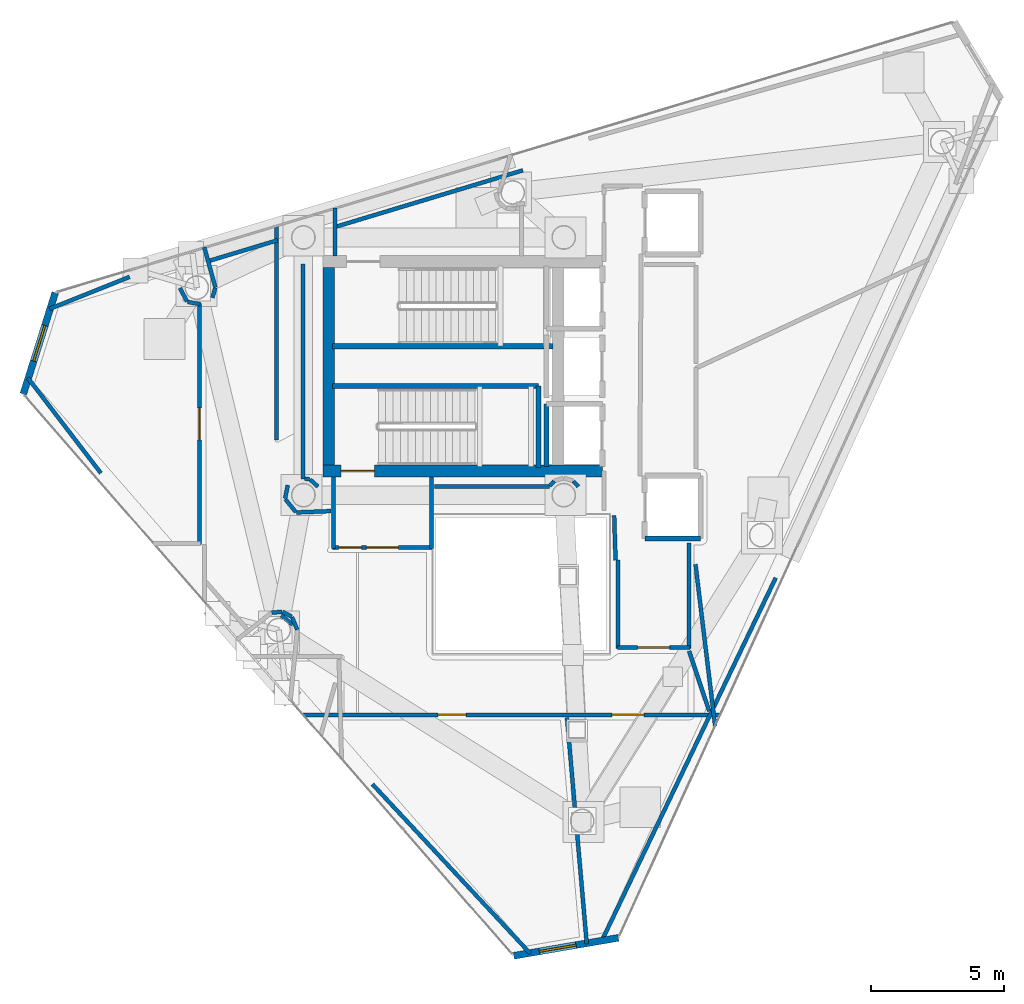
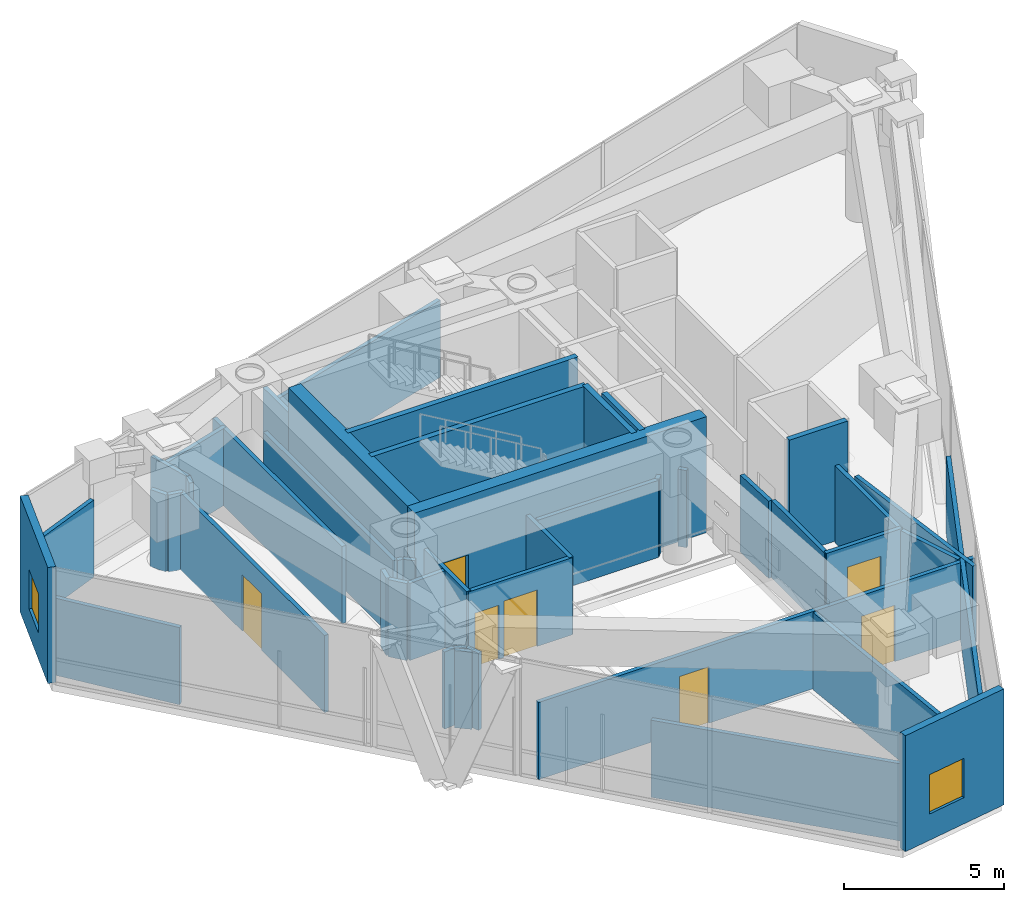
# One storey, part 16 of 20: 46 walls, 7 doors, 2 windows, 9 openings.
"""IFC4 building model written with IfcOpenShell, lengths in metres."""

from ifc_helpers import new_model, si_unit, direction, frame, frame_2d, origin, place, context, subcontext, project, spatial, rectangle, extrude, material, layer, layer_set, type_object, element, fill, save


model = new_model("IFC4")

# Units and contexts
model_context = context("Model", 3, precision=1e-05, world=origin(), true_north=direction((0.0, 1.0)))
body_context = subcontext(model_context, "Body", "Model", "MODEL_VIEW")
ifc_project = project(units=[si_unit("LENGTHUNIT", "METRE"), si_unit("AREAUNIT", "SQUARE_METRE"), si_unit("VOLUMEUNIT", "CUBIC_METRE"), si_unit("PLANEANGLEUNIT", "RADIAN"), si_unit("MASSUNIT", "GRAM", prefix="KILO")], contexts=[model_context])

# Site, building, storey
site_placement = place(None, origin())
site = spatial("IfcSite", under=ifc_project, at=site_placement, CompositionType="ELEMENT")
building_placement = place(site_placement, origin())
building = spatial("IfcBuilding", under=site, at=building_placement, Name="Qianvela Tower", CompositionType="ELEMENT")
storey_placement = place(building_placement, frame((0.0, 0.0, 321.300048828125)))
storey = spatial("IfcBuildingStorey", under=building, at=storey_placement, Name="L83", CompositionType="ELEMENT", Elevation=321.300048828125)

# Wall, opening, window
ifc_material_1 = material(Name="Terracotta Cladding on Concrete C40", Category="masonry")
ifc_layer_1 = layer(ifc_material_1, 0.260009765625)
ifc_layer_set_1 = layer_set([ifc_layer_1], Name="Terracotta Cladding on Concrete C40")
wall_type_1 = type_object("IfcWallType", Name="TERRACOTTA-WALL-260", PredefinedType="SOLIDWALL", material=ifc_layer_set_1)
wall_1_placement = place(storey_placement, frame((19.258544921875, 31.47265625, 0.0), z_axis=(0.0, 0.0, 1.0), x_axis=(-0.300558508895, -0.953763378795, 0.0)))
wall_1 = element("IfcWall", 1, at=wall_1_placement, inside=storey, type_object=wall_type_1, Name="L83 Terracotta Chamfer Facet Wall 3", PredefinedType="SOLIDWALL", context=body_context, shape_type="SweptSolid", body=[
    extrude(rectangle(XDim=3.998046875, YDim=0.260009765625, at=frame_2d((1.9990234375, 0.0))), origin(), (0.0, 0.0, 1.0), 4.419921875),
])
opening_1_placement = place(wall_1_placement, frame((1.299072265625, 0.0, 1.0)))
opening_1 = element("IfcOpeningElement", 2, at=opening_1_placement, cuts=wall_1, Name="Opening W-06", PredefinedType="OPENING", context=body_context, shape_type="SweptSolid", body=[
    extrude(rectangle(XDim=1.39990234375, YDim=1.5, at=frame_2d((0.699951171875, 0.75))), frame((0.0, 0.139892578125, 0.0), z_axis=(0.0, -1.0, 0.0), x_axis=(1.0, 0.0, 0.0)), (0.0, 0.0, 1.0), 0.280029296875),
])
ifc_material_2 = material(Name="Thermally Broken Aluminium and Low-E Glass", Category="aluminium")
window_type = type_object("IfcWindowType", Name="WIN-REF-1400x1500", PartitioningType="SINGLE_PANEL", PredefinedType="WINDOW", material=ifc_material_2)
window_1_placement = place(opening_1_placement, origin())
window_1 = element("IfcWindow", 3, at=window_1_placement, inside=storey, type_object=window_type, Name="L83 Chamfer Facet Window 3.1", OverallHeight=1.5, OverallWidth=1.39990234375, PartitioningType="SINGLE_PANEL", PredefinedType="WINDOW", context=body_context, shape_type="SweptSolid", body=[
    extrude(rectangle(XDim=1.39990234375, YDim=1.5, at=frame_2d((0.699951171875, 0.75))), frame((0.0, 0.030029296875, 0.0), z_axis=(0.0, -1.0, 0.0), x_axis=(1.0, 0.0, 0.0)), (0.0, 0.0, 1.0), 0.06005859375),
])
fill(opening_1, window_1)

wall_2_placement = place(storey_placement, frame((36.51904296875, 6.5107421875, 0.0), z_axis=(0.0, 0.0, 1.0), x_axis=(0.985600454731, 0.169090933033, 0.0)))
wall_2 = element("IfcWall", 4, at=wall_2_placement, inside=storey, type_object=wall_type_1, Name="L83 Terracotta Chamfer Facet Wall 5", PredefinedType="SOLIDWALL", context=body_context, shape_type="SweptSolid", body=[
    extrude(rectangle(XDim=3.998046875, YDim=0.260009765625, at=frame_2d((1.9990234375, 0.0))), origin(), (0.0, 0.0, 1.0), 4.419921875),
])
opening_2_placement = place(wall_2_placement, frame((0.97900390625, 0.0, 1.0)))
opening_2 = element("IfcOpeningElement", 5, at=opening_2_placement, cuts=wall_2, Name="Opening W-06", PredefinedType="OPENING", context=body_context, shape_type="SweptSolid", body=[
    extrude(rectangle(XDim=1.39990234375, YDim=1.5, at=frame_2d((0.699951171875, 0.75))), frame((0.0, 0.139892578125, 0.0), z_axis=(0.0, -1.0, 0.0), x_axis=(1.0, 0.0, 0.0)), (0.0, 0.0, 1.0), 0.280029296875),
])
window_2_placement = place(opening_2_placement, origin())
window_2 = element("IfcWindow", 6, at=window_2_placement, inside=storey, type_object=window_type, Name="L83 Chamfer Facet Window 5.1", OverallHeight=1.5, OverallWidth=1.39990234375, PartitioningType="SINGLE_PANEL", PredefinedType="WINDOW", context=body_context, shape_type="SweptSolid", body=[
    extrude(rectangle(XDim=1.39990234375, YDim=1.5, at=frame_2d((0.699951171875, 0.75))), frame((0.0, 0.030029296875, 0.0), z_axis=(0.0, -1.0, 0.0), x_axis=(1.0, 0.0, 0.0)), (0.0, 0.0, 1.0), 0.06005859375),
])
fill(opening_2, window_2)

# Wall, opening, door
ifc_material_3 = material(Name="Concrete C50", Category="concrete")
ifc_layer_2 = layer(ifc_material_3, 0.449951171875)
ifc_layer_set_2 = layer_set([ifc_layer_2], Name="Concrete C50")
wall_type_2 = type_object("IfcWallType", Name="WT-CORE-450", PredefinedType="SHEAR", material=ifc_layer_set_2)
wall_3_placement = place(storey_placement, frame((29.330078125, 24.7548828125, 0.0), z_axis=(0.0, 0.0, 1.0), x_axis=(1.0, 0.0, 0.0)))
wall_3 = element("IfcWall", 7, at=wall_3_placement, inside=storey, type_object=wall_type_2, Name="L83 South Core Shear Wall", PredefinedType="SHEAR", context=body_context, shape_type="SweptSolid", body=[
    extrude(rectangle(XDim=10.52001953125, YDim=0.449951171875, at=frame_2d((5.260009765625, 0.0))), origin(), (0.0, 0.0, 1.0), 4.419921875),
])
opening_3_placement = place(wall_3_placement, frame((0.695068359375, 0.0, 0.0)))
opening_3 = element("IfcOpeningElement", 8, at=opening_3_placement, cuts=wall_3, Name="Opening D-ST1", PredefinedType="OPENING", context=body_context, shape_type="SweptSolid", body=[
    extrude(rectangle(XDim=1.25, YDim=2.14990234375, at=frame_2d((0.625, 1.074951171875))), frame((0.0, 0.23486328125, 0.0), z_axis=(0.0, -1.0, 0.0), x_axis=(1.0, 0.0, 0.0)), (0.0, 0.0, 1.0), 0.469970703125),
])
ifc_material_4 = material(Name="Galvanised Fire Steel Q355B", Category="steel")
door_type_1 = type_object("IfcDoorType", Name="DT-STAIR-FD90", OperationType="NOTDEFINED", PredefinedType="DOOR", material=ifc_material_4)
door_1_placement = place(opening_3_placement, origin())
door_1 = element("IfcDoor", 9, at=door_1_placement, inside=storey, type_object=door_type_1, Name="L83 Stair ST-2 Exit Door", OperationType="SINGLE_SWING_LEFT", OverallHeight=2.14990234375, OverallWidth=1.25, PredefinedType="DOOR", context=body_context, shape_type="SweptSolid", body=[
    extrude(rectangle(XDim=1.25, YDim=2.14990234375, at=frame_2d((0.625, 1.074951171875))), frame((0.0, 0.02490234375, 0.0), z_axis=(0.0, -1.0, 0.0), x_axis=(1.0, 0.0, 0.0)), (0.0, 0.0, 1.0), 0.050048828125),
])
fill(opening_3, door_1)

# Walls
wall_4_placement = place(storey_placement, frame((29.554931640625, 24.97998046875, 0.0), z_axis=(0.0, 0.0, 1.0), x_axis=(0.0, 1.0, 0.0)))
element("IfcWall", 10, at=wall_4_placement, inside=storey, type_object=wall_type_2, Name="L83 West Core Shear Wall", PredefinedType="SHEAR", context=body_context, shape_type="SweptSolid", body=[
    extrude(rectangle(XDim=7.43994140625, YDim=0.449951171875, at=frame_2d((3.719970703125, 0.0))), origin(), (0.0, 0.0, 1.0), 4.419921875),
])
ifc_material_5 = material(Name="Fire-Rated Acoustic Gypsum Board")
ifc_layer_3 = layer(ifc_material_5, 0.14990234375)
ifc_layer_set_3 = layer_set([ifc_layer_3], Name="Fire-Rated Acoustic Gypsum Board")
wall_type_3 = type_object("IfcWallType", Name="WT-CORR-150", PredefinedType="PARTITIONING", material=ifc_layer_set_3)
wall_5_placement = place(storey_placement, frame((29.781005859375, 32.85791015625, 0.0), z_axis=(0.0, 0.0, 1.0), x_axis=(0.0, 1.0, 0.0)))
element("IfcWall", 11, at=wall_5_placement, inside=storey, type_object=wall_type_3, Name="L83 Partition 11", PredefinedType="PARTITIONING", context=body_context, shape_type="SweptSolid", body=[
    extrude(rectangle(XDim=1.804931640625, YDim=0.14990234375, at=frame_2d((0.90234375, 0.0))), origin(), (0.0, 0.0, 1.0), 2.93994140625),
])
wall_6_placement = place(storey_placement, frame((29.7587890625, 33.935302734375, 0.0), z_axis=(0.0, 0.0, 1.0), x_axis=(0.957477622137, 0.288507544281, 0.0)))
element("IfcWall", 12, at=wall_6_placement, inside=storey, type_object=wall_type_3, Name="L83 Partition 12", PredefinedType="PARTITIONING", context=body_context, shape_type="SweptSolid", body=[
    extrude(rectangle(XDim=7.41552734375, YDim=0.14990234375, at=frame_2d((3.707763671875, 0.0))), origin(), (0.0, 0.0, 1.0), 2.93994140625),
])

# Wall, openings, doors
wall_7_placement = place(storey_placement, frame((33.449951171875, 21.881103515625, 0.0), z_axis=(0.0, 0.0, 1.0), x_axis=(-1.0, 0.0, 0.0)))
wall_7 = element("IfcWall", 13, at=wall_7_placement, inside=storey, type_object=wall_type_3, Name="L83 Partition 13", PredefinedType="PARTITIONING", context=body_context, shape_type="SweptSolid", body=[
    extrude(rectangle(XDim=3.75, YDim=0.14990234375, at=frame_2d((1.875, 0.0))), origin(), (0.0, 0.0, 1.0), 2.93994140625),
])
opening_4_placement = place(wall_7_placement, frame((1.27490234375, 0.0, 0.0)))
opening_4 = element("IfcOpeningElement", 14, at=opening_4_placement, cuts=wall_7, Name="Opening D-LB1", PredefinedType="OPENING", context=body_context, shape_type="SweptSolid", body=[
    extrude(rectangle(XDim=1.199951171875, YDim=2.14990234375, at=frame_2d((0.60009765625, 1.074951171875))), frame((0.0, 0.0849609375, 0.0), z_axis=(0.0, -1.0, 0.0), x_axis=(1.0, 0.0, 0.0)), (0.0, 0.0, 1.0), 0.169921875),
])
opening_5_placement = place(wall_7_placement, frame((2.659912109375, 0.0, 0.0)))
opening_5 = element("IfcOpeningElement", 15, at=opening_5_placement, cuts=wall_7, Name="Opening D-LB2", PredefinedType="OPENING", context=body_context, shape_type="SweptSolid", body=[
    extrude(rectangle(XDim=0.860107421875, YDim=2.050048828125, at=frame_2d((0.43017578125, 1.02490234375))), frame((0.0, 0.0849609375, 0.0), z_axis=(0.0, -1.0, 0.0), x_axis=(1.0, 0.0, 0.0)), (0.0, 0.0, 1.0), 0.169921875),
])
ifc_material_6 = material(Name="Glazed Fire-Rated Steel Frame", Category="steel")
door_type_2 = type_object("IfcDoorType", Name="DT-LOBBY-FD90", OperationType="NOTDEFINED", PredefinedType="DOOR", material=ifc_material_6)
door_2_placement = place(opening_4_placement, origin())
door_2 = element("IfcDoor", 16, at=door_2_placement, inside=storey, type_object=door_type_2, Name="L83 Door L83 Firefighting Lobby South to L83 Mechanical Plant Corridor", OperationType="SINGLE_SWING_LEFT", OverallHeight=2.14990234375, OverallWidth=1.199951171875, PredefinedType="DOOR", context=body_context, shape_type="SweptSolid", body=[
    extrude(rectangle(XDim=1.199951171875, YDim=2.14990234375, at=frame_2d((0.60009765625, 1.074951171875))), frame((0.0, 0.02490234375, 0.0), z_axis=(0.0, -1.0, 0.0), x_axis=(1.0, 0.0, 0.0)), (0.0, 0.0, 1.0), 0.050048828125),
])
fill(opening_4, door_2)
ifc_material_7 = material(Name="Insulated Steel Fire Door Q355B", Category="steel")
door_type_3 = type_object("IfcDoorType", Name="DT-LOBBY-FD90-860", OperationType="NOTDEFINED", PredefinedType="DOOR", material=ifc_material_7)
door_3_placement = place(opening_5_placement, origin())
door_3 = element("IfcDoor", 17, at=door_3_placement, inside=storey, type_object=door_type_3, Name="L83 Door L83 Firefighting Lobby South to L83 Mechanical Plant Corridor", OperationType="SINGLE_SWING_LEFT", OverallHeight=2.050048828125, OverallWidth=0.860107421875, PredefinedType="DOOR", context=body_context, shape_type="SweptSolid", body=[
    extrude(rectangle(XDim=0.860107421875, YDim=2.050048828125, at=frame_2d((0.43017578125, 1.02490234375))), frame((0.0, 0.02490234375, 0.0), z_axis=(0.0, -1.0, 0.0), x_axis=(1.0, 0.0, 0.0)), (0.0, 0.0, 1.0), 0.050048828125),
])
fill(opening_5, door_3)

# Walls
for number, where, z_axis, x_axis, name in (
    (18, (29.73095703125, 21.85009765625, 0.0), (0.0, 0.0, 1.0), (0.0, 1.0, 0.0), "L83 Partition 14"),
    (19, (33.4189453125, 24.5419921875, 0.0), (0.0, 0.0, 1.0), (0.0, -1.0, 0.0), "L83 Partition 16"),
):
    element("IfcWall", number, at=place(storey_placement, frame(where, z_axis=z_axis, x_axis=x_axis)), inside=storey, type_object=wall_type_3, Name=name, PredefinedType="PARTITIONING", context=body_context, shape_type="SweptSolid", body=[
        extrude(rectangle(XDim=2.69189453125, YDim=0.14990234375, at=frame_2d((1.345947265625, 0.0))), origin(), (0.0, 0.0, 1.0), 2.93994140625),
    ])
wall_8_placement = place(storey_placement, frame((40.35107421875, 21.40087890625, 0.0), z_axis=(0.0, 0.0, 1.0), x_axis=(-0.031058045979, 0.999517582527, 0.0)))
element("IfcWall", 20, at=wall_8_placement, inside=storey, type_object=wall_type_3, Name="L83 Partition 17", PredefinedType="PARTITIONING", context=body_context, shape_type="SweptSolid", body=[
    extrude(rectangle(XDim=1.68212890625, YDim=0.14990234375, at=frame_2d((0.841064453125, 0.0))), origin(), (0.0, 0.0, 1.0), 2.93994140625),
])
wall_9_placement = place(storey_placement, frame((43.118896484375, 22.050048828125, 0.0), z_axis=(0.0, 0.0, 1.0), x_axis=(0.0, -1.0, 0.0)))
element("IfcWall", 21, at=wall_9_placement, inside=storey, type_object=wall_type_3, Name="L83 Partition 24", PredefinedType="PARTITIONING", context=body_context, shape_type="SweptSolid", body=[
    extrude(rectangle(XDim=3.969970703125, YDim=0.14990234375, at=frame_2d((1.98486328125, 0.0))), origin(), (0.0, 0.0, 1.0), 2.93994140625),
])

# Wall, opening, door
wall_10_placement = place(storey_placement, frame((43.14990234375, 18.111083984375, 0.0), z_axis=(0.0, 0.0, 1.0), x_axis=(-1.0, 0.0, 0.0)))
wall_10 = element("IfcWall", 22, at=wall_10_placement, inside=storey, type_object=wall_type_3, Name="L83 Partition 25", PredefinedType="PARTITIONING", context=body_context, shape_type="SweptSolid", body=[
    extrude(rectangle(XDim=2.72998046875, YDim=0.14990234375, at=frame_2d((1.364990234375, 0.0))), origin(), (0.0, 0.0, 1.0), 2.93994140625),
])
opening_6_placement = place(wall_10_placement, frame((0.764892578125, 0.0, 0.0)))
opening_6 = element("IfcOpeningElement", 23, at=opening_6_placement, cuts=wall_10, Name="Opening D-LB1", PredefinedType="OPENING", context=body_context, shape_type="SweptSolid", body=[
    extrude(rectangle(XDim=1.199951171875, YDim=2.14990234375, at=frame_2d((0.60009765625, 1.074951171875))), frame((0.0, 0.0849609375, 0.0), z_axis=(0.0, -1.0, 0.0), x_axis=(1.0, 0.0, 0.0)), (0.0, 0.0, 1.0), 0.169921875),
])
door_4_placement = place(opening_6_placement, origin())
door_4 = element("IfcDoor", 24, at=door_4_placement, inside=storey, type_object=door_type_2, Name="L83 Door L83 Lift Lobby to L83 Mechanical Plant Corridor", OperationType="SINGLE_SWING_RIGHT", OverallHeight=2.14990234375, OverallWidth=1.199951171875, PredefinedType="DOOR", context=body_context, shape_type="SweptSolid", body=[
    extrude(rectangle(XDim=1.199951171875, YDim=2.14990234375, at=frame_2d((0.60009765625, 1.074951171875))), frame((0.0, 0.02490234375, 0.0), z_axis=(0.0, -1.0, 0.0), x_axis=(1.0, 0.0, 0.0)), (0.0, 0.0, 1.0), 0.050048828125),
])
fill(opening_6, door_4)

# Walls
wall_11_placement = place(storey_placement, frame((40.450927734375, 18.080078125, 0.0), z_axis=(0.0, 0.0, 1.0), x_axis=(0.0, 1.0, 0.0)))
element("IfcWall", 25, at=wall_11_placement, inside=storey, type_object=wall_type_3, Name="L83 Partition 26 seg 1", PredefinedType="PARTITIONING", context=body_context, shape_type="SweptSolid", body=[
    extrude(rectangle(XDim=3.31982421875, YDim=0.14990234375, at=frame_2d((1.659912109375, 0.0))), origin(), (0.0, 0.0, 1.0), 2.93994140625),
])
wall_12_placement = place(storey_placement, frame((29.148681640625, 24.173095703125, 0.0), z_axis=(0.0, 0.0, 1.0), x_axis=(-0.745225165416, 0.666812906917, 0.0)))
element("IfcWall", 26, at=wall_12_placement, inside=storey, type_object=wall_type_3, Name="L83 Partition 31", PredefinedType="PARTITIONING", context=body_context, shape_type="SweptSolid", body=[
    extrude(rectangle(XDim=0.3955078125, YDim=0.14990234375, at=frame_2d((0.19775390625, 0.0))), origin(), (0.0, 0.0, 1.0), 2.93994140625),
])
wall_13_placement = place(storey_placement, frame((28.837890625, 24.444091796875, 0.0), z_axis=(0.0, 0.0, 1.0), x_axis=(-0.989370126495, 0.145419231191, 0.0)))
element("IfcWall", 27, at=wall_13_placement, inside=storey, type_object=wall_type_3, Name="L83 Partition 32", PredefinedType="PARTITIONING", context=body_context, shape_type="SweptSolid", body=[
    extrude(rectangle(XDim=0.18798828125, YDim=0.14990234375, at=frame_2d((0.093994140625, 0.0))), origin(), (0.0, 0.0, 1.0), 2.93994140625),
])
wall_14_placement = place(storey_placement, frame((28.5810546875, 24.455078125, 0.0), z_axis=(0.0, 0.0, 1.0), x_axis=(0.0, 1.0, 0.0)))
element("IfcWall", 28, at=wall_14_placement, inside=storey, type_object=wall_type_3, Name="L83 Partition 33", PredefinedType="PARTITIONING", context=body_context, shape_type="SweptSolid", body=[
    extrude(rectangle(XDim=8.094970703125, YDim=0.14990234375, at=frame_2d((4.04736328125, 0.0))), origin(), (0.0, 0.0, 1.0), 2.93994140625),
])
wall_15_placement = place(storey_placement, frame((38.950927734375, 24.1708984375, 0.0), z_axis=(0.0, 0.0, 1.0), x_axis=(-0.674186852077, 0.738560822469, 0.0)))
element("IfcWall", 29, at=wall_15_placement, inside=storey, type_object=wall_type_3, Name="L83 Partition 39", PredefinedType="PARTITIONING", context=body_context, shape_type="SweptSolid", body=[
    extrude(rectangle(XDim=0.28076171875, YDim=0.14990234375, at=frame_2d((0.140380859375, 0.0))), origin(), (0.0, 0.0, 1.0), 2.93994140625),
])
wall_16_placement = place(storey_placement, frame((38.0380859375, 24.378173828125, 0.0), z_axis=(0.0, 0.0, 1.0), x_axis=(-0.673658387955, -0.739042878551, 0.0)))
element("IfcWall", 30, at=wall_16_placement, inside=storey, type_object=wall_type_3, Name="L83 Partition 42", PredefinedType="PARTITIONING", context=body_context, shape_type="SweptSolid", body=[
    extrude(rectangle(XDim=0.246337890625, YDim=0.14990234375, at=frame_2d((0.123046875, 0.0))), origin(), (0.0, 0.0, 1.0), 2.93994140625),
])
wall_17_placement = place(storey_placement, frame((37.8720703125, 24.180908203125, 0.0), z_axis=(0.0, 0.0, 1.0), x_axis=(-1.0, 0.0, 0.0)))
element("IfcWall", 31, at=wall_17_placement, inside=storey, type_object=wall_type_3, Name="L83 Partition 43", PredefinedType="PARTITIONING", context=body_context, shape_type="SweptSolid", body=[
    extrude(rectangle(XDim=4.342041015625, YDim=0.14990234375, at=frame_2d((2.1708984375, 0.0))), origin(), (0.0, 0.0, 1.0), 2.93994140625),
])
wall_18_placement = place(storey_placement, frame((19.048095703125, 30.85986328125, 0.0), z_axis=(0.0, 0.0, 1.0), x_axis=(0.928273862515, 0.371897346283, 0.0)))
element("IfcWall", 32, at=wall_18_placement, inside=storey, type_object=wall_type_3, Name="L83 Partition 44 seg 1", PredefinedType="PARTITIONING", context=body_context, shape_type="SweptSolid", body=[
    extrude(rectangle(XDim=3.23974609375, YDim=0.14990234375, at=frame_2d((1.619873046875, 0.0))), origin(), (0.0, 0.0, 1.0), 2.93994140625),
])
wall_19_placement = place(storey_placement, frame((23.94970703125, 31.6484375, 0.0), z_axis=(0.0, 0.0, 1.0), x_axis=(0.471160949405, -0.882047254832, 0.0)))
element("IfcWall", 33, at=wall_19_placement, inside=storey, type_object=wall_type_3, Name="L83 Partition 47", PredefinedType="PARTITIONING", context=body_context, shape_type="SweptSolid", body=[
    extrude(rectangle(XDim=0.5751953125, YDim=0.14990234375, at=frame_2d((0.28759765625, 0.0))), origin(), (0.0, 0.0, 1.0), 2.93994140625),
])
wall_20_placement = place(storey_placement, frame((24.242431640625, 31.125244140625, 0.0), z_axis=(0.0, 0.0, 1.0), x_axis=(0.983550856106, -0.180631429859, 0.0)))
element("IfcWall", 34, at=wall_20_placement, inside=storey, type_object=wall_type_3, Name="L83 Partition 48", PredefinedType="PARTITIONING", context=body_context, shape_type="SweptSolid", body=[
    extrude(rectangle(XDim=0.479736328125, YDim=0.14990234375, at=frame_2d((0.23974609375, 0.0))), origin(), (0.0, 0.0, 1.0), 2.93994140625),
])

# Wall, opening, door
wall_21_placement = place(storey_placement, frame((24.68896484375, 31.069091796875, 0.0), z_axis=(0.0, 0.0, 1.0), x_axis=(0.0, -1.0, 0.0)))
wall_21 = element("IfcWall", 35, at=wall_21_placement, inside=storey, type_object=wall_type_3, Name="L83 Partition 49", PredefinedType="PARTITIONING", context=body_context, shape_type="SweptSolid", body=[
    extrude(rectangle(XDim=9.069091796875, YDim=0.14990234375, at=frame_2d((4.53466796875, 0.0))), origin(), (0.0, 0.0, 1.0), 2.93994140625),
])
opening_7_placement = place(wall_21_placement, frame((3.9345703125, 0.0, 0.0)))
opening_7 = element("IfcOpeningElement", 36, at=opening_7_placement, cuts=wall_21, Name="Opening D-LB1", PredefinedType="OPENING", context=body_context, shape_type="SweptSolid", body=[
    extrude(rectangle(XDim=1.199951171875, YDim=2.14990234375, at=frame_2d((0.60009765625, 1.074951171875))), frame((0.0, 0.0849609375, 0.0), z_axis=(0.0, -1.0, 0.0), x_axis=(1.0, 0.0, 0.0)), (0.0, 0.0, 1.0), 0.169921875),
])
door_5_placement = place(opening_7_placement, origin())
door_5 = element("IfcDoor", 37, at=door_5_placement, inside=storey, type_object=door_type_2, Name="L83 Door L83 Fire Refuge Area North to L83 Mechanical Plant Corridor", OperationType="SINGLE_SWING_LEFT", OverallHeight=2.14990234375, OverallWidth=1.199951171875, PredefinedType="DOOR", context=body_context, shape_type="SweptSolid", body=[
    extrude(rectangle(XDim=1.199951171875, YDim=2.14990234375, at=frame_2d((0.60009765625, 1.074951171875))), frame((0.0, 0.02490234375, 0.0), z_axis=(0.0, -1.0, 0.0), x_axis=(1.0, 0.0, 0.0)), (0.0, 0.0, 1.0), 0.050048828125),
])
fill(opening_7, door_5)

# Walls
wall_22_placement = place(storey_placement, frame((20.97607421875, 24.680419921875, 0.0), z_axis=(0.0, 0.0, 1.0), x_axis=(-0.608575737729, 0.793495791701, 0.0)))
element("IfcWall", 38, at=wall_22_placement, inside=storey, type_object=wall_type_3, Name="L83 Partition 51 seg 1", PredefinedType="PARTITIONING", context=body_context, shape_type="SweptSolid", body=[
    extrude(rectangle(XDim=4.513916015625, YDim=0.14990234375, at=frame_2d((2.2568359375, 0.0))), origin(), (0.0, 0.0, 1.0), 2.93994140625),
])
wall_23_placement = place(storey_placement, frame((28.012451171875, 24.228271484375, 0.0), z_axis=(0.0, 0.0, 1.0), x_axis=(-0.194742453568, -0.980854411612, 0.0)))
element("IfcWall", 39, at=wall_23_placement, inside=storey, type_object=wall_type_3, Name="L83 Partition 54", PredefinedType="PARTITIONING", context=body_context, shape_type="SweptSolid", body=[
    extrude(rectangle(XDim=0.5126953125, YDim=0.14990234375, at=frame_2d((0.25634765625, 0.0))), origin(), (0.0, 0.0, 1.0), 2.93994140625),
])
wall_24_placement = place(storey_placement, frame((27.9189453125, 23.69970703125, 0.0), z_axis=(0.0, 0.0, 1.0), x_axis=(0.63412117797, -0.77323368502, 0.0)))
element("IfcWall", 40, at=wall_24_placement, inside=storey, type_object=wall_type_3, Name="L83 Partition 55", PredefinedType="PARTITIONING", context=body_context, shape_type="SweptSolid", body=[
    extrude(rectangle(XDim=0.6318359375, YDim=0.14990234375, at=frame_2d((0.31591796875, 0.0))), origin(), (0.0, 0.0, 1.0), 2.93994140625),
])
wall_25_placement = place(storey_placement, frame((28.3447265625, 23.199951171875, 0.0), z_axis=(0.0, 0.0, 1.0), x_axis=(0.999216536924, 0.039576664043, 0.0)))
element("IfcWall", 41, at=wall_25_placement, inside=storey, type_object=wall_type_3, Name="L83 Partition 56", PredefinedType="PARTITIONING", context=body_context, shape_type="SweptSolid", body=[
    extrude(rectangle(XDim=1.29541015625, YDim=0.14990234375, at=frame_2d((0.647705078125, 0.0))), origin(), (0.0, 0.0, 1.0), 2.93994140625),
])
wall_26_placement = place(storey_placement, frame((43.118896484375, 17.97998046875, 0.0), z_axis=(0.0, 0.0, 1.0), x_axis=(0.316719555894, -0.948519226434, 0.0)))
element("IfcWall", 42, at=wall_26_placement, inside=storey, type_object=wall_type_3, Name="L83 Partition 60", PredefinedType="PARTITIONING", context=body_context, shape_type="SweptSolid", body=[
    extrude(rectangle(XDim=2.382568359375, YDim=0.14990234375, at=frame_2d((1.19140625, 0.0))), origin(), (0.0, 0.0, 1.0), 2.93994140625),
])

# Wall, openings, doors
wall_27_placement = place(storey_placement, frame((44.309814453125, 15.5810546875, 0.0), z_axis=(0.0, 0.0, 1.0), x_axis=(-1.0, 0.0, 0.0)))
wall_27 = element("IfcWall", 43, at=wall_27_placement, inside=storey, type_object=wall_type_3, Name="L83 Partition 61", PredefinedType="PARTITIONING", context=body_context, shape_type="SweptSolid", body=[
    extrude(rectangle(XDim=15.728759765625, YDim=0.14990234375, at=frame_2d((7.8642578125, 0.0))), origin(), (0.0, 0.0, 1.0), 2.93994140625),
])
opening_8_placement = place(wall_27_placement, frame((2.884521484375, 0.0, 0.0)))
opening_8 = element("IfcOpeningElement", 44, at=opening_8_placement, cuts=wall_27, Name="Opening D-LB1", PredefinedType="OPENING", context=body_context, shape_type="SweptSolid", body=[
    extrude(rectangle(XDim=1.199951171875, YDim=2.14990234375, at=frame_2d((0.60009765625, 1.074951171875))), frame((0.0, 0.0849609375, 0.0), z_axis=(0.0, -1.0, 0.0), x_axis=(1.0, 0.0, 0.0)), (0.0, 0.0, 1.0), 0.169921875),
])
opening_9_placement = place(wall_27_placement, frame((9.5888671875, 0.0, 0.0)))
opening_9 = element("IfcOpeningElement", 45, at=opening_9_placement, cuts=wall_27, Name="Opening D-PL1", PredefinedType="OPENING", context=body_context, shape_type="SweptSolid", body=[
    extrude(rectangle(XDim=1.050048828125, YDim=2.14990234375, at=frame_2d((0.52490234375, 1.074951171875))), frame((0.0, 0.0849609375, 0.0), z_axis=(0.0, -1.0, 0.0), x_axis=(1.0, 0.0, 0.0)), (0.0, 0.0, 1.0), 0.169921875),
])
door_6_placement = place(opening_8_placement, origin())
door_6 = element("IfcDoor", 46, at=door_6_placement, inside=storey, type_object=door_type_2, Name="L83 Door L83 Fire Refuge Area 3 to L83 Mechanical Plant Corridor", OperationType="SINGLE_SWING_RIGHT", OverallHeight=2.14990234375, OverallWidth=1.199951171875, PredefinedType="DOOR", context=body_context, shape_type="SweptSolid", body=[
    extrude(rectangle(XDim=1.199951171875, YDim=2.14990234375, at=frame_2d((0.60009765625, 1.074951171875))), frame((0.0, 0.02490234375, 0.0), z_axis=(0.0, -1.0, 0.0), x_axis=(1.0, 0.0, 0.0)), (0.0, 0.0, 1.0), 0.050048828125),
])
fill(opening_8, door_6)
ifc_material_8 = material(Name="Insulated Steel Fire Door Q355B", Category="steel")
door_type_4 = type_object("IfcDoorType", Name="DT-PLANT-FD90", OperationType="NOTDEFINED", PredefinedType="DOOR", material=ifc_material_8)
door_7_placement = place(opening_9_placement, origin())
door_7 = element("IfcDoor", 47, at=door_7_placement, inside=storey, type_object=door_type_4, Name="L83 Door L83 Air Handling and Smoke Exhaust Plant Room to L83 Mechanical Plant Corridor", OperationType="SINGLE_SWING_RIGHT", OverallHeight=2.14990234375, OverallWidth=1.050048828125, PredefinedType="DOOR", context=body_context, shape_type="SweptSolid", body=[
    extrude(rectangle(XDim=1.050048828125, YDim=2.14990234375, at=frame_2d((0.52490234375, 1.074951171875))), frame((0.0, 0.02490234375, 0.0), z_axis=(0.0, -1.0, 0.0), x_axis=(1.0, 0.0, 0.0)), (0.0, 0.0, 1.0), 0.050048828125),
])
fill(opening_9, door_7)

# Walls
wall_28_placement = place(storey_placement, frame((28.36865234375, 18.785888671875, 0.0), z_axis=(0.0, 0.0, 1.0), x_axis=(-0.382856448334, 0.923807847969, 0.0)))
element("IfcWall", 48, at=wall_28_placement, inside=storey, type_object=wall_type_3, Name="L83 Partition 65", PredefinedType="PARTITIONING", context=body_context, shape_type="SweptSolid", body=[
    extrude(rectangle(XDim=0.5126953125, YDim=0.14990234375, at=frame_2d((0.25634765625, 0.0))), origin(), (0.0, 0.0, 1.0), 2.93994140625),
])
wall_29_placement = place(storey_placement, frame((28.158447265625, 19.275146484375, 0.0), z_axis=(0.0, 0.0, 1.0), x_axis=(-0.88205754286, 0.471141688967, 0.0)))
element("IfcWall", 49, at=wall_29_placement, inside=storey, type_object=wall_type_3, Name="L83 Partition 66", PredefinedType="PARTITIONING", context=body_context, shape_type="SweptSolid", body=[
    extrude(rectangle(XDim=0.38916015625, YDim=0.14990234375, at=frame_2d((0.194580078125, 0.0))), origin(), (0.0, 0.0, 1.0), 2.93994140625),
])
wall_30_placement = place(storey_placement, frame((27.797607421875, 19.4619140625, 0.0), z_axis=(0.0, 0.0, 1.0), x_axis=(-0.995191392568, -0.097949436745, 0.0)))
element("IfcWall", 50, at=wall_30_placement, inside=storey, type_object=wall_type_3, Name="L83 Partition 67", PredefinedType="PARTITIONING", context=body_context, shape_type="SweptSolid", body=[
    extrude(rectangle(XDim=0.388916015625, YDim=0.14990234375, at=frame_2d((0.1943359375, 0.0))), origin(), (0.0, 0.0, 1.0), 2.93994140625),
])
wall_31_placement = place(storey_placement, frame((25.173583984375, 31.28173828125, 0.0), z_axis=(0.0, 0.0, 1.0), x_axis=(0.290512380904, 0.956871232999, 0.0)))
element("IfcWall", 51, at=wall_31_placement, inside=storey, type_object=wall_type_3, Name="L83 Partition 71", PredefinedType="PARTITIONING", context=body_context, shape_type="SweptSolid", body=[
    extrude(rectangle(XDim=0.38916015625, YDim=0.14990234375, at=frame_2d((0.194580078125, 0.0))), origin(), (0.0, 0.0, 1.0), 2.93994140625),
])
wall_32_placement = place(storey_placement, frame((25.286865234375, 31.67138671875, 0.0), z_axis=(0.0, 0.0, 1.0), x_axis=(-0.266985792428, 0.963700465208, 0.0)))
element("IfcWall", 52, at=wall_32_placement, inside=storey, type_object=wall_type_3, Name="L83 Partition 72", PredefinedType="PARTITIONING", context=body_context, shape_type="SweptSolid", body=[
    extrude(rectangle(XDim=1.569091796875, YDim=0.14990234375, at=frame_2d((0.78466796875, 0.0))), origin(), (0.0, 0.0, 1.0), 2.93994140625),
])
wall_33_placement = place(storey_placement, frame((24.98486328125, 32.6484375, 0.0), z_axis=(0.0, 0.0, 1.0), x_axis=(0.957484948061, 0.288483230427, 0.0)))
element("IfcWall", 53, at=wall_33_placement, inside=storey, type_object=wall_type_3, Name="L83 Partition 73", PredefinedType="PARTITIONING", context=body_context, shape_type="SweptSolid", body=[
    extrude(rectangle(XDim=2.761474609375, YDim=0.14990234375, at=frame_2d((1.380859375, 0.0))), origin(), (0.0, 0.0, 1.0), 2.93994140625),
])
wall_34_placement = place(storey_placement, frame((27.589111328125, 34.00244140625, 0.0), z_axis=(0.0, 0.0, 1.0), x_axis=(0.0, -1.0, 0.0)))
element("IfcWall", 54, at=wall_34_placement, inside=storey, type_object=wall_type_3, Name="L83 Partition 74", PredefinedType="PARTITIONING", context=body_context, shape_type="SweptSolid", body=[
    extrude(rectangle(XDim=8.080810546875, YDim=0.14990234375, at=frame_2d((4.04052734375, 0.0))), origin(), (0.0, 0.0, 1.0), 2.93994140625),
])
wall_35_placement = place(storey_placement, frame((44.09765625, 15.16015625, 0.0), z_axis=(0.0, 0.0, 1.0), x_axis=(-0.120490711947, 0.992714454581, 0.0)))
element("IfcWall", 55, at=wall_35_placement, inside=storey, type_object=wall_type_3, Name="L83 Partition 78 seg 1", PredefinedType="PARTITIONING", context=body_context, shape_type="SweptSolid", body=[
    extrude(rectangle(XDim=6.13134765625, YDim=0.14990234375, at=frame_2d((3.065673828125, 0.0))), origin(), (0.0, 0.0, 1.0), 2.93994140625),
])
wall_36_placement = place(storey_placement, frame((46.3779296875, 20.735595703125, 0.0), z_axis=(0.0, 0.0, 1.0), x_axis=(-0.432197648558, -0.901778904489, 0.0)))
element("IfcWall", 56, at=wall_36_placement, inside=storey, type_object=wall_type_3, Name="L83 Partition 84 seg 1", PredefinedType="PARTITIONING", context=body_context, shape_type="SweptSolid", body=[
    extrude(rectangle(XDim=15.164306640625, YDim=0.14990234375, at=frame_2d((7.58203125, 0.0))), origin(), (0.0, 0.0, 1.0), 2.93994140625),
])
wall_37_placement = place(storey_placement, frame((39.26708984375, 6.9619140625, 0.0), z_axis=(0.0, 0.0, 1.0), x_axis=(-0.08715986031, 0.996194337843, 0.0)))
element("IfcWall", 57, at=wall_37_placement, inside=storey, type_object=wall_type_3, Name="L83 Partition 85", PredefinedType="PARTITIONING", context=body_context, shape_type="SweptSolid", body=[
    extrude(rectangle(XDim=8.543212890625, YDim=0.14990234375, at=frame_2d((4.271484375, 0.0))), origin(), (0.0, 0.0, 1.0), 2.93994140625),
])
wall_38_placement = place(storey_placement, frame((27.76513671875, 19.3271484375, 0.0), z_axis=(0.0, 0.0, 1.0), x_axis=(0.772995919314, -0.63441099354, 0.0)))
element("IfcWall", 58, at=wall_38_placement, inside=storey, type_object=wall_type_3, Name="L83 Partition 87", PredefinedType="PARTITIONING", context=body_context, shape_type="SweptSolid", body=[
    extrude(rectangle(XDim=0.554931640625, YDim=0.14990234375, at=frame_2d((0.27734375, 0.0))), origin(), (0.0, 0.0, 1.0), 2.93994140625),
])
wall_39_placement = place(storey_placement, frame((37.139404296875, 6.599853515625, 0.0), z_axis=(0.0, 0.0, 1.0), x_axis=(-0.682016665323, 0.73133663126, 0.0)))
element("IfcWall", 59, at=wall_39_placement, inside=storey, type_object=wall_type_3, Name="L83 Partition 94 seg 1", PredefinedType="PARTITIONING", context=body_context, shape_type="SweptSolid", body=[
    extrude(rectangle(XDim=8.712158203125, YDim=0.14990234375, at=frame_2d((4.35595703125, 0.0))), origin(), (0.0, 0.0, 1.0), 2.93994140625),
])
ifc_material_9 = material(Name="Concrete C50", Category="concrete")
ifc_layer_4 = layer(ifc_material_9, 0.199951171875)
ifc_layer_set_4 = layer_set([ifc_layer_4], Name="Concrete C50")
wall_type_4 = type_object("IfcWallType", Name="WT-SHAFT-200", PredefinedType="SOLIDWALL", material=ifc_layer_set_4)
wall_40_placement = place(storey_placement, frame((29.699951171875, 29.449951171875, 0.0), z_axis=(0.0, 0.0, 1.0), x_axis=(1.0, 0.0, 0.0)))
element("IfcWall", 60, at=wall_40_placement, inside=storey, type_object=wall_type_4, Name="L83 Stair ST-1 South Wall", PredefinedType="SOLIDWALL", context=body_context, shape_type="SweptSolid", body=[
    extrude(rectangle(XDim=8.300048828125, YDim=0.199951171875, at=frame_2d((4.14990234375, 0.0))), origin(), (0.0, 0.0, 1.0), 4.419921875),
])
wall_41_placement = place(storey_placement, frame((29.699951171875, 27.9599609375, 0.0), z_axis=(0.0, 0.0, 1.0), x_axis=(1.0, 0.0, 0.0)))
element("IfcWall", 61, at=wall_41_placement, inside=storey, type_object=wall_type_4, Name="L83 Stair ST-2 North Wall", PredefinedType="SOLIDWALL", context=body_context, shape_type="SweptSolid", body=[
    extrude(rectangle(XDim=7.75, YDim=0.199951171875, at=frame_2d((3.875, 0.0))), origin(), (0.0, 0.0, 1.0), 4.419921875),
])
wall_42_placement = place(storey_placement, frame((37.449951171875, 24.89990234375, 0.0), z_axis=(0.0, 0.0, 1.0), x_axis=(0.0, 1.0, 0.0)))
element("IfcWall", 62, at=wall_42_placement, inside=storey, type_object=wall_type_4, Name="L83 Stair ST-2 East Wall", PredefinedType="SOLIDWALL", context=body_context, shape_type="SweptSolid", body=[
    extrude(rectangle(XDim=3.06005859375, YDim=0.199951171875, at=frame_2d((1.530029296875, 0.0))), origin(), (0.0, 0.0, 1.0), 4.419921875),
])
wall_43_placement = place(storey_placement, frame((37.75, 24.919921875, 0.0), z_axis=(0.0, 0.0, 1.0), x_axis=(0.0, 1.0, 0.0)))
element("IfcWall", 63, at=wall_43_placement, inside=storey, type_object=wall_type_4, Name="L83 Lift FL-2 W Shaft Wall", PredefinedType="SOLIDWALL", context=body_context, shape_type="SweptSolid", body=[
    extrude(rectangle(XDim=2.360107421875, YDim=0.199951171875, at=frame_2d((1.18017578125, 0.0))), origin(), (0.0, 0.0, 1.0), 4.419921875),
])
wall_44_placement = place(storey_placement, frame((41.449951171875, 22.219970703125, 0.0), z_axis=(0.0, 0.0, 1.0), x_axis=(1.0, 0.0, 0.0)))
element("IfcWall", 64, at=wall_44_placement, inside=storey, type_object=wall_type_4, Name="L83 Lift PL-H2 S Shaft Wall", PredefinedType="SOLIDWALL", context=body_context, shape_type="SweptSolid", body=[
    extrude(rectangle(XDim=2.10009765625, YDim=0.199951171875, at=frame_2d((1.050048828125, 0.0))), origin(), (0.0, 0.0, 1.0), 4.419921875),
])

save(model, "model.ifc")
